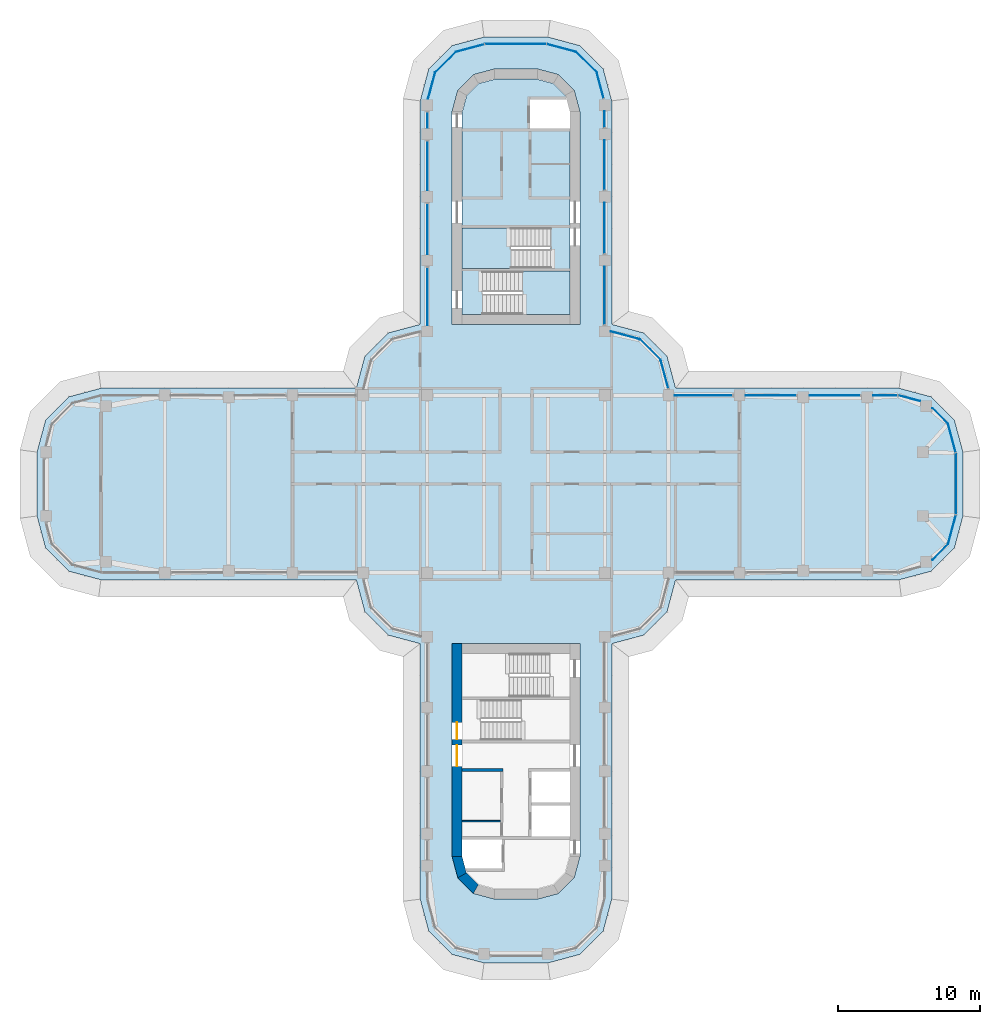
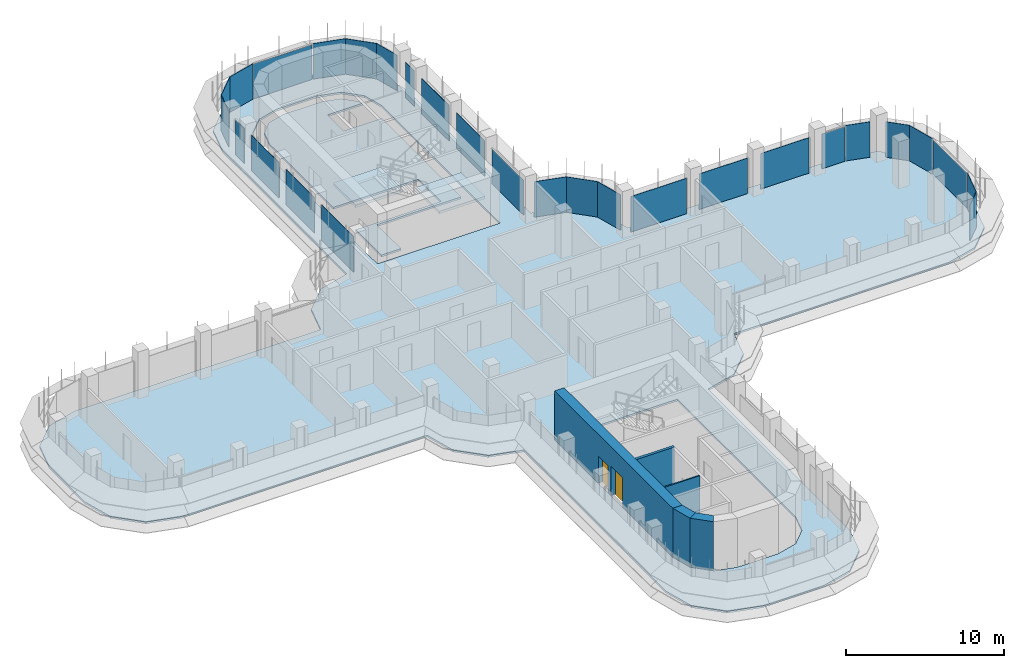
# One storey, part 13 of 20: 28 plates, 5 walls, 4 slabs, 2 doors, 2 openings, 21 elements without a shape of their own.
"""IFC4 building model written with IfcOpenShell, lengths in metres."""

from ifc_helpers import new_model, si_unit, direction, frame, frame_2d, origin, place, context, subcontext, project, spatial, polyline, rectangle, outline, extrude, source, transform, mapped, material, layer, layer_set, type_object, element, fill, aggregate, save


model = new_model("IFC4")

# Units and contexts
model_context = context("Model", 3, precision=1e-05, world=origin(), true_north=direction((0.0, 1.0)))
body_context = subcontext(model_context, "Body", "Model", "MODEL_VIEW")
ifc_project = project(units=[si_unit("LENGTHUNIT", "METRE"), si_unit("AREAUNIT", "SQUARE_METRE"), si_unit("VOLUMEUNIT", "CUBIC_METRE"), si_unit("PLANEANGLEUNIT", "RADIAN"), si_unit("MASSUNIT", "GRAM", prefix="KILO")], contexts=[model_context])

# Site, building, storey
site_placement = place(None, origin())
site = spatial("IfcSite", under=ifc_project, at=site_placement, CompositionType="ELEMENT")
building_placement = place(site_placement, origin())
building = spatial("IfcBuilding", under=site, at=building_placement, Name="Zarbagh Exchange Tower", CompositionType="ELEMENT")
storey_placement = place(building_placement, frame((0.0, 0.0, 152.39990234375)))
storey = spatial("IfcBuildingStorey", under=building, at=storey_placement, Name="L36", CompositionType="ELEMENT", Elevation=152.39990234375)

# Slabs
ifc_material_1 = material(Name="Concrete C40/50", Category="concrete")
ifc_layer_1 = layer(ifc_material_1, 0.14990234375)
ifc_layer_set_1 = layer_set([ifc_layer_1], Name="Composite floor slab 150 C40/50")
slab_type_1 = type_object("IfcSlabType", Name="Composite floor slab 150 C40/50", PredefinedType="FLOOR", material=ifc_layer_set_1)
slab_1_placement = place(storey_placement, frame((0.0, 0.0, -0.14990234375)))
element("IfcSlab", 1, at=slab_1_placement, inside=storey, type_object=slab_type_1, Name="S5 composite floor slab", PredefinedType="FLOOR", context=body_context, shape_type="SweptSolid", body=[
    extrude(outline(polyline([(-2.25, -33.75), (-4.5, -33.147216796875), (-6.147216796875, -31.5), (-6.75, -29.25), (-6.75, -11.25), (-9.0, -10.647216796875), (-10.647216796875, -9.0), (-11.25, -6.75), (-29.25, -6.75), (-31.5, -6.147216796875), (-33.147216796875, -4.5), (-33.75, -2.25), (-33.75, 2.25), (-33.147216796875, 4.5), (-31.5, 6.147216796875), (-29.25, 6.75), (-11.25, 6.75), (-10.647216796875, 9.0), (-9.0, 10.647216796875), (-6.75, 11.25), (-6.75, 27.0), (-6.147216796875, 29.25), (-4.5, 30.897216796875), (-2.25, 31.5), (2.25, 31.5), (4.5, 30.897216796875), (6.147216796875, 29.25), (6.75, 27.0), (6.75, 11.25), (9.0, 10.647216796875), (10.647216796875, 9.0), (11.25, 6.75), (27.0, 6.75), (29.25, 6.147216796875), (30.897216796875, 4.5), (31.5, 2.25), (31.5, -2.25), (30.897216796875, -4.5), (29.25, -6.147216796875), (27.0, -6.75), (11.25, -6.75), (10.647216796875, -9.0), (9.0, -10.647216796875), (6.75, -11.25), (6.75, -29.25), (6.147216796875, -31.5), (4.5, -33.147216796875), (2.25, -33.75), (-2.25, -33.75)]), holes=[polyline([(4.5, 11.25), (4.5, 26.25), (4.09814453125, 27.75), (3.0, 28.84814453125), (1.5, 29.25), (-1.5, 29.25), (-3.0, 28.84814453125), (-4.09814453125, 27.75), (-4.5, 26.25), (-4.5, 11.25), (4.5, 11.25)]), polyline([(-1.5, -29.25), (1.5, -29.25), (3.0, -28.84814453125), (4.09814453125, -27.75), (4.5, -26.25), (4.5, -11.25), (-4.5, -11.25), (-4.5, -26.25), (-4.09814453125, -27.75), (-3.0, -28.84814453125), (-1.5, -29.25)])]), origin(), (0.0, 0.0, 1.0), 0.14990234375),
])
ifc_layer_2 = layer(ifc_material_1, 0.14990234375)
ifc_layer_set_2 = layer_set([ifc_layer_2], Name="Core floor slab 150 C40/50")
slab_type_2 = type_object("IfcSlabType", Name="Core floor slab 150 C40/50", PredefinedType="FLOOR", material=ifc_layer_set_2)
slab_2_placement = place(storey_placement, frame((0.0, 0.0, -0.14990234375)))
element("IfcSlab", 2, at=slab_2_placement, inside=storey, type_object=slab_type_2, Name="S17 core N", PredefinedType="FLOOR", context=body_context, shape_type="SweptSolid", body=[
    extrude(outline(polyline([(-3.800048828125, 11.949951171875), (-3.800048828125, 15.199951171875), (2.449951171875, 15.199951171875), (2.449951171875, 18.050048828125), (-3.800048828125, 18.050048828125), (-3.800048828125, 26.15771484375), (-3.470458984375, 27.3876953125), (-2.6376953125, 28.220458984375), (-1.40771484375, 28.550048828125), (1.40771484375, 28.550048828125), (2.6376953125, 28.220458984375), (3.470458984375, 27.3876953125), (3.800048828125, 26.15771484375), (3.800048828125, 26.15771484375), (3.547607421875, 27.10009765625), (1.0, 27.10009765625), (1.0, 25.050048828125), (3.800048828125, 25.050048828125), (3.800048828125, 15.0), (-2.35009765625, 15.0), (-2.35009765625, 11.949951171875), (-3.800048828125, 11.949951171875)])), origin(), (0.0, 0.0, 1.0), 0.14990234375),
])

# Stair, slab
stair_type = type_object("IfcStairType", Name="Exit stair two-flight half-turn", PredefinedType="HALF_TURN_STAIR", material=ifc_material_1)
stair_1_placement = place(storey_placement, origin())
stair_1 = element("IfcStair", 3, at=stair_1_placement, inside=storey, type_object=stair_type, Name="exit stair ST1", PredefinedType="HALF_TURN_STAIR")
ifc_layer_3 = layer(ifc_material_1, 0.199951171875)
ifc_layer_set_3 = layer_set([ifc_layer_3], Name="Stair landing 200 mm")
slab_type_3 = type_object("IfcSlabType", Name="Stair landing 200 mm", PredefinedType="LANDING", material=ifc_layer_set_3)
slab_3_placement = place(storey_placement, frame((0.0, 0.0, 1.7001953125)))
slab_3 = element("IfcSlab", 4, at=slab_3_placement, type_object=slab_type_3, Name="ST1 landing 1", PredefinedType="LANDING", context=body_context, shape_type="SweptSolid", body=[
    extrude(outline(polyline([(-0.35009765625, 18.050048828125), (-3.800048828125, 18.050048828125), (-3.800048828125, 15.199951171875), (-0.35009765625, 15.199951171875), (-0.35009765625, 18.050048828125)])), origin(), (0.0, 0.0, 1.0), 0.199951171875),
])
aggregate(stair_1, [slab_3])

stair_2_placement = place(storey_placement, origin())
stair_2 = element("IfcStair", 5, at=stair_2_placement, inside=storey, type_object=stair_type, Name="exit stair ST2", PredefinedType="HALF_TURN_STAIR")
slab_4_placement = place(storey_placement, frame((0.0, 0.0, 1.7001953125)))
slab_4 = element("IfcSlab", 6, at=slab_4_placement, type_object=slab_type_3, Name="ST2 landing 1", PredefinedType="LANDING", context=body_context, shape_type="SweptSolid", body=[
    extrude(outline(polyline([(0.449951171875, 11.949951171875), (3.800048828125, 11.949951171875), (3.800048828125, 15.0), (0.449951171875, 15.0), (0.449951171875, 11.949951171875)])), origin(), (0.0, 0.0, 1.0), 0.199951171875),
])
aggregate(stair_2, [slab_4])

# Curtain wall, plate
ifc_material_2 = material(Name="Anodised aluminium frame and glazing", Category="aluminium")
curtain_wall_type = type_object("IfcCurtainWallType", Name="CWB Ribbon glazing, upper zones", PredefinedType="NOTDEFINED", material=ifc_material_2)
curtain_wall_1_placement = place(storey_placement, origin())
curtain_wall_1 = element("IfcCurtainWall", 7, at=curtain_wall_1_placement, inside=storey, type_object=curtain_wall_type, Name="CWB18 curtain wall", PredefinedType="NOTDEFINED")
ifc_material_3 = material(Name="Low-e double glazed unit, 6+12+6 mm")
ifc_layer_4 = layer(ifc_material_3, 0.031982421875)
ifc_layer_set_4 = layer_set([ifc_layer_4], Name="PAB Glazing panel, Low-e double glazed unit, 6+12+6 mm")
plate_type = type_object("IfcPlateType", Name="PAB Glazing panel, Low-e double glazed unit, 6+12+6 mm", PredefinedType="CURTAIN_PANEL", material=ifc_layer_set_4)
shared_shape_1 = source(origin(), body_context, "Body", "SweptSolid", [
    extrude(outline(polyline([(0.0, -0.01611328125), (2.061279296875, -0.01611328125), (2.061279296875, 0.01611328125), (0.0, 0.01611328125), (0.0, -0.01611328125)])), origin(), (0.0, 0.0, 1.0), 2.75),
])
placement = place(storey_placement, origin())
plate_1 = element("IfcPlate", 8, at=placement, type_object=plate_type, Name="CWB18 glazing panel 1.1", PredefinedType="CURTAIN_PANEL", context=body_context, shape_type="MappedRepresentation", body=[
    mapped(shared_shape_1, transform((10.19873046875, 8.7412109375, 0.0), x_axis=(-0.707106781187, 0.707106781187, 0.0), y_axis=(-0.707106781187, -0.707106781187, 0.0), z_axis=(0.0, 0.0, 1.0))),
])
aggregate(curtain_wall_1, [plate_1])

curtain_wall_2_placement = place(storey_placement, origin())
curtain_wall_2 = element("IfcCurtainWall", 9, at=curtain_wall_2_placement, inside=storey, type_object=curtain_wall_type, Name="CWB22 curtain wall", PredefinedType="NOTDEFINED")
plate_2 = element("IfcPlate", 10, at=placement, type_object=plate_type, Name="CWB22 glazing panel 1.1", PredefinedType="CURTAIN_PANEL", context=body_context, shape_type="MappedRepresentation", body=[
    mapped(shared_shape_1, transform((5.69873046875, 28.9912109375, 0.0), x_axis=(-0.707106781187, 0.707106781187, 0.0), y_axis=(-0.707106781187, -0.707106781187, 0.0), z_axis=(0.0, 0.0, 1.0))),
])
aggregate(curtain_wall_2, [plate_2])

curtain_wall_3_placement = place(storey_placement, origin())
curtain_wall_3 = element("IfcCurtainWall", 11, at=curtain_wall_3_placement, inside=storey, type_object=curtain_wall_type, Name="CWB26 curtain wall", PredefinedType="NOTDEFINED")
plate_3 = element("IfcPlate", 12, at=placement, type_object=plate_type, Name="CWB26 glazing panel 1.1", PredefinedType="CURTAIN_PANEL", context=body_context, shape_type="MappedRepresentation", body=[
    mapped(shared_shape_1, transform((-4.2412109375, 30.44873046875, 0.0), x_axis=(-0.707106781187, -0.707106781187, 0.0), y_axis=(0.707106781187, -0.707106781187, 0.0), z_axis=(0.0, 0.0, 1.0))),
])
aggregate(curtain_wall_3, [plate_3])

curtain_wall_4_placement = place(storey_placement, origin())
curtain_wall_4 = element("IfcCurtainWall", 13, at=curtain_wall_4_placement, inside=storey, type_object=curtain_wall_type, Name="CWB11 curtain wall", PredefinedType="NOTDEFINED")
shared_shape_2 = source(origin(), body_context, "Body", "SweptSolid", [
    extrude(outline(polyline([(0.0, -0.01611328125), (2.129638671875, -0.01611328125), (2.129638671875, 0.01611328125), (0.0, 0.01611328125), (0.0, -0.01611328125)])), origin(), (0.0, 0.0, 1.0), 2.75),
])
plate_4 = element("IfcPlate", 14, at=placement, type_object=plate_type, Name="CWB11 glazing panel 1.1", PredefinedType="CURTAIN_PANEL", context=body_context, shape_type="MappedRepresentation", body=[
    mapped(shared_shape_2, transform((30.44873046875, -4.2412109375, 0.0), x_axis=(0.258824779902, 0.965924289636, 0.0), y_axis=(-0.965924289636, 0.258824779902, 0.0), z_axis=(0.0, 0.0, 1.0))),
])
aggregate(curtain_wall_4, [plate_4])

curtain_wall_5_placement = place(storey_placement, origin())
curtain_wall_5 = element("IfcCurtainWall", 15, at=curtain_wall_5_placement, inside=storey, type_object=curtain_wall_type, Name="CWB23 curtain wall", PredefinedType="NOTDEFINED")
plate_5 = element("IfcPlate", 16, at=placement, type_object=plate_type, Name="CWB23 glazing panel 1.1", PredefinedType="CURTAIN_PANEL", context=body_context, shape_type="MappedRepresentation", body=[
    mapped(shared_shape_2, transform((4.2412109375, 30.44873046875, 0.0), x_axis=(-0.965924289636, 0.258824779902, 0.0), y_axis=(-0.258824779902, -0.965924289636, 0.0), z_axis=(0.0, 0.0, 1.0))),
])
aggregate(curtain_wall_5, [plate_5])

curtain_wall_6_placement = place(storey_placement, origin())
curtain_wall_6 = element("IfcCurtainWall", 17, at=curtain_wall_6_placement, inside=storey, type_object=curtain_wall_type, Name="CWB20 curtain wall", PredefinedType="NOTDEFINED")
shared_shape_3 = source(origin(), body_context, "Body", "SweptSolid", [
    extrude(outline(polyline([(0.0, -0.01611328125), (3.4599609375, -0.01611328125), (3.4599609375, 0.01611328125), (0.0, 0.01611328125), (0.0, -0.01611328125)])), origin(), (0.0, 0.0, 1.0), 2.75),
])
plate_6 = element("IfcPlate", 18, at=placement, type_object=plate_type, Name="CWB20 glazing panel 3.1", PredefinedType="CURTAIN_PANEL", context=body_context, shape_type="MappedRepresentation", body=[
    mapped(shared_shape_3, transform((6.25, 20.75, 0.0), x_axis=(0.0, 1.0, 0.0), y_axis=(-1.0, 0.0, 0.0), z_axis=(0.0, 0.0, 1.0))),
])

curtain_wall_7_placement = place(storey_placement, origin())
curtain_wall_7 = element("IfcCurtainWall", 19, at=curtain_wall_7_placement, inside=storey, type_object=curtain_wall_type, Name="CWB28 curtain wall", PredefinedType="NOTDEFINED")
plate_7 = element("IfcPlate", 20, at=placement, type_object=plate_type, Name="CWB28 glazing panel 2.1", PredefinedType="CURTAIN_PANEL", context=body_context, shape_type="MappedRepresentation", body=[
    mapped(shared_shape_3, transform((-6.25, 24.14990234375, 0.0), x_axis=(0.0, -1.0, 0.0), y_axis=(1.0, 0.0, 0.0), z_axis=(0.0, 0.0, 1.0))),
])

# Curtain wall, plates
curtain_wall_8_placement = place(storey_placement, origin())
curtain_wall_8 = element("IfcCurtainWall", 21, at=curtain_wall_8_placement, inside=storey, type_object=curtain_wall_type, Name="CWB16 curtain wall", PredefinedType="NOTDEFINED")
shared_shape_4 = source(origin(), body_context, "Body", "SweptSolid", [
    extrude(outline(polyline([(0.0, -0.01611328125), (3.56005859375, -0.01611328125), (3.56005859375, 0.01611328125), (0.0, 0.01611328125), (0.0, -0.01611328125)])), origin(), (0.0, 0.0, 1.0), 2.75),
])
plate_8 = element("IfcPlate", 22, at=placement, type_object=plate_type, Name="CWB16 glazing panel 2.1", PredefinedType="CURTAIN_PANEL", context=body_context, shape_type="MappedRepresentation", body=[
    mapped(shared_shape_4, transform((24.25, 6.25, 0.0), x_axis=(-1.0, 0.0, 0.0), y_axis=(0.0, -1.0, 0.0), z_axis=(0.0, 0.0, 1.0))),
])
plate_9 = element("IfcPlate", 23, at=placement, type_object=plate_type, Name="CWB16 glazing panel 3.1", PredefinedType="CURTAIN_PANEL", context=body_context, shape_type="MappedRepresentation", body=[
    mapped(shared_shape_4, transform((19.75, 6.25, 0.0), x_axis=(-1.0, 0.0, 0.0), y_axis=(0.0, -1.0, 0.0), z_axis=(0.0, 0.0, 1.0))),
])

# Plate
plate_10 = element("IfcPlate", 24, at=placement, type_object=plate_type, Name="CWB20 glazing panel 2.1", PredefinedType="CURTAIN_PANEL", context=body_context, shape_type="MappedRepresentation", body=[
    mapped(shared_shape_4, transform((6.25, 16.25, 0.0), x_axis=(0.0, 1.0, 0.0), y_axis=(-1.0, 0.0, 0.0), z_axis=(0.0, 0.0, 1.0))),
])

plate_11 = element("IfcPlate", 25, at=placement, type_object=plate_type, Name="CWB28 glazing panel 3.1", PredefinedType="CURTAIN_PANEL", context=body_context, shape_type="MappedRepresentation", body=[
    mapped(shared_shape_4, transform((-6.25, 19.75, 0.0), x_axis=(0.0, -1.0, 0.0), y_axis=(1.0, 0.0, 0.0), z_axis=(0.0, 0.0, 1.0))),
])

shared_shape_5 = source(origin(), body_context, "Body", "SweptSolid", [
    extrude(outline(polyline([(0.0, -0.01611328125), (4.06005859375, -0.01611328125), (4.06005859375, 0.01611328125), (0.0, 0.01611328125), (0.0, -0.01611328125)])), origin(), (0.0, 0.0, 1.0), 2.75),
])
plate_12 = element("IfcPlate", 26, at=placement, type_object=plate_type, Name="CWB16 glazing panel 4.1", PredefinedType="CURTAIN_PANEL", context=body_context, shape_type="MappedRepresentation", body=[
    mapped(shared_shape_5, transform((15.25, 6.25, 0.0), x_axis=(-1.0, 0.0, 0.0), y_axis=(0.0, -1.0, 0.0), z_axis=(0.0, 0.0, 1.0))),
])

plate_13 = element("IfcPlate", 27, at=placement, type_object=plate_type, Name="CWB28 glazing panel 4.1", PredefinedType="CURTAIN_PANEL", context=body_context, shape_type="MappedRepresentation", body=[
    mapped(shared_shape_5, transform((-6.25, 15.25, 0.0), x_axis=(0.0, -1.0, 0.0), y_axis=(1.0, 0.0, 0.0), z_axis=(0.0, 0.0, 1.0))),
])

# Curtain wall, plate
curtain_wall_9_placement = place(storey_placement, origin())
curtain_wall_9 = element("IfcCurtainWall", 28, at=curtain_wall_9_placement, inside=storey, type_object=curtain_wall_type, Name="CWB17 curtain wall", PredefinedType="NOTDEFINED")
shared_shape_6 = source(origin(), body_context, "Body", "SweptSolid", [
    extrude(outline(polyline([(0.0, -0.01611328125), (2.063720703125, -0.01611328125), (2.063720703125, 0.01611328125), (0.0, 0.01611328125), (0.0, -0.01611328125)])), origin(), (0.0, 0.0, 1.0), 2.75),
])
plate_14 = element("IfcPlate", 29, at=placement, type_object=plate_type, Name="CWB17 glazing panel 1.1", PredefinedType="CURTAIN_PANEL", context=body_context, shape_type="MappedRepresentation", body=[
    mapped(shared_shape_6, transform((10.73291015625, 6.748046875, 0.0), x_axis=(-0.258824779902, 0.965924289636, 0.0), y_axis=(-0.965924289636, -0.258824779902, 0.0), z_axis=(0.0, 0.0, 1.0))),
])
aggregate(curtain_wall_9, [plate_14])

curtain_wall_10_placement = place(storey_placement, origin())
curtain_wall_10 = element("IfcCurtainWall", 30, at=curtain_wall_10_placement, inside=storey, type_object=curtain_wall_type, Name="CWB19 curtain wall", PredefinedType="NOTDEFINED")
shared_shape_7 = source(origin(), body_context, "Body", "SweptSolid", [
    extrude(outline(polyline([(0.0, -0.01611328125), (2.12353515625, -0.01611328125), (2.12353515625, 0.01611328125), (0.0, 0.01611328125), (0.0, -0.01611328125)])), origin(), (0.0, 0.0, 1.0), 2.75),
])
plate_15 = element("IfcPlate", 31, at=placement, type_object=plate_type, Name="CWB19 glazing panel 1.1", PredefinedType="CURTAIN_PANEL", context=body_context, shape_type="MappedRepresentation", body=[
    mapped(shared_shape_7, transform((8.7412109375, 10.19873046875, 0.0), x_axis=(-0.965924289636, 0.258824779902, 0.0), y_axis=(-0.258824779902, -0.965924289636, 0.0), z_axis=(0.0, 0.0, 1.0))),
])
aggregate(curtain_wall_10, [plate_15])

# Plate
shared_shape_8 = source(origin(), body_context, "Body", "SweptSolid", [
    extrude(outline(polyline([(0.0, -0.01611328125), (4.06005859375, -0.01611328125), (4.06005859375, 0.01611328125), (0.0, 0.01611328125), (0.0, -0.01611328125)])), origin(), (0.0, 0.0, 1.0), 2.68994140625),
])
plate_16 = element("IfcPlate", 32, at=placement, type_object=plate_type, Name="CWB20 glazing panel 1.1", PredefinedType="CURTAIN_PANEL", context=body_context, shape_type="MappedRepresentation", body=[
    mapped(shared_shape_8, transform((6.25, 11.25, 0.0), x_axis=(0.0, 1.0, 0.0), y_axis=(-1.0, 0.0, 0.0), z_axis=(0.0, 0.0, 1.0))),
])

# Curtain wall, plate
curtain_wall_11_placement = place(storey_placement, origin())
curtain_wall_11 = element("IfcCurtainWall", 33, at=curtain_wall_11_placement, inside=storey, type_object=curtain_wall_type, Name="CWB10 curtain wall", PredefinedType="NOTDEFINED")
shared_shape_9 = source(origin(), body_context, "Body", "SweptSolid", [
    extrude(outline(polyline([(0.0, -0.01611328125), (1.556884765625, -0.01611328125), (1.556884765625, 0.01611328125), (0.0, 0.01611328125), (0.0, -0.01611328125)])), origin(), (0.0, 0.0, 1.0), 2.75),
])
plate_17 = element("IfcPlate", 34, at=placement, type_object=plate_type, Name="CWB10 glazing panel 1.1", PredefinedType="CURTAIN_PANEL", context=body_context, shape_type="MappedRepresentation", body=[
    mapped(shared_shape_9, transform((29.347900390625, -5.342041015625, 0.0), x_axis=(0.707106781187, 0.707106781187, 0.0), y_axis=(-0.707106781187, 0.707106781187, 0.0), z_axis=(0.0, 0.0, 1.0))),
])
aggregate(curtain_wall_11, [plate_17])

curtain_wall_12_placement = place(storey_placement, origin())
curtain_wall_12 = element("IfcCurtainWall", 35, at=curtain_wall_12_placement, inside=storey, type_object=curtain_wall_type, Name="CWB14 curtain wall", PredefinedType="NOTDEFINED")
plate_18 = element("IfcPlate", 36, at=placement, type_object=plate_type, Name="CWB14 glazing panel 1.1", PredefinedType="CURTAIN_PANEL", context=body_context, shape_type="MappedRepresentation", body=[
    mapped(shared_shape_9, transform((30.44873046875, 4.2412109375, 0.0), x_axis=(-0.707106781187, 0.707106781187, 0.0), y_axis=(-0.707106781187, -0.707106781187, 0.0), z_axis=(0.0, 0.0, 1.0))),
])
aggregate(curtain_wall_12, [plate_18])

curtain_wall_13_placement = place(storey_placement, origin())
curtain_wall_13 = element("IfcCurtainWall", 37, at=curtain_wall_13_placement, inside=storey, type_object=curtain_wall_type, Name="CWB12 curtain wall", PredefinedType="NOTDEFINED")
shared_shape_10 = source(origin(), body_context, "Body", "SweptSolid", [
    extrude(outline(polyline([(0.0, -0.01611328125), (4.308349609375, -0.01611328125), (4.308349609375, 0.01611328125), (0.0, 0.01611328125), (0.0, -0.01611328125)])), origin(), (0.0, 0.0, 1.0), 2.68994140625),
])
plate_19 = element("IfcPlate", 38, at=placement, type_object=plate_type, Name="CWB12 glazing panel 1.1", PredefinedType="CURTAIN_PANEL", context=body_context, shape_type="MappedRepresentation", body=[
    mapped(shared_shape_10, transform((31.0, -2.124267578125, 0.0), x_axis=(0.0, 1.0, 0.0), y_axis=(-1.0, 0.0, 0.0), z_axis=(0.0, 0.0, 1.0))),
])
aggregate(curtain_wall_13, [plate_19])

curtain_wall_14_placement = place(storey_placement, origin())
curtain_wall_14 = element("IfcCurtainWall", 39, at=curtain_wall_14_placement, inside=storey, type_object=curtain_wall_type, Name="CWB24 curtain wall", PredefinedType="NOTDEFINED")
plate_20 = element("IfcPlate", 40, at=placement, type_object=plate_type, Name="CWB24 glazing panel 1.1", PredefinedType="CURTAIN_PANEL", context=body_context, shape_type="MappedRepresentation", body=[
    mapped(shared_shape_10, transform((2.124267578125, 31.0, 0.0), x_axis=(-1.0, 0.0, 0.0), y_axis=(0.0, -1.0, 0.0), z_axis=(0.0, 0.0, 1.0))),
])
aggregate(curtain_wall_14, [plate_20])

curtain_wall_15_placement = place(storey_placement, origin())
curtain_wall_15 = element("IfcCurtainWall", 41, at=curtain_wall_15_placement, inside=storey, type_object=curtain_wall_type, Name="CWB13 curtain wall", PredefinedType="NOTDEFINED")
shared_shape_11 = source(origin(), body_context, "Body", "SweptSolid", [
    extrude(outline(polyline([(0.0, -0.01611328125), (2.069580078125, -0.01611328125), (2.069580078125, 0.01611328125), (0.0, 0.01611328125), (0.0, -0.01611328125)])), origin(), (0.0, 0.0, 1.0), 2.75),
])
plate_21 = element("IfcPlate", 42, at=placement, type_object=plate_type, Name="CWB13 glazing panel 1.1", PredefinedType="CURTAIN_PANEL", context=body_context, shape_type="MappedRepresentation", body=[
    mapped(shared_shape_11, transform((30.984375, 2.2421875, 0.0), x_axis=(-0.258824779902, 0.965924289636, 0.0), y_axis=(-0.965924289636, -0.258824779902, 0.0), z_axis=(0.0, 0.0, 1.0))),
])
aggregate(curtain_wall_15, [plate_21])

curtain_wall_16_placement = place(storey_placement, origin())
curtain_wall_16 = element("IfcCurtainWall", 43, at=curtain_wall_16_placement, inside=storey, type_object=curtain_wall_type, Name="CWB25 curtain wall", PredefinedType="NOTDEFINED")
plate_22 = element("IfcPlate", 44, at=placement, type_object=plate_type, Name="CWB25 glazing panel 1.1", PredefinedType="CURTAIN_PANEL", context=body_context, shape_type="MappedRepresentation", body=[
    mapped(shared_shape_11, transform((-2.2421875, 30.984375, 0.0), x_axis=(-0.965924289636, -0.258824779902, 0.0), y_axis=(0.258824779902, -0.965924289636, 0.0), z_axis=(0.0, 0.0, 1.0))),
])
aggregate(curtain_wall_16, [plate_22])

curtain_wall_17_placement = place(storey_placement, origin())
curtain_wall_17 = element("IfcCurtainWall", 45, at=curtain_wall_17_placement, inside=storey, type_object=curtain_wall_type, Name="CWB15 curtain wall", PredefinedType="NOTDEFINED")
shared_shape_12 = source(origin(), body_context, "Body", "SweptSolid", [
    extrude(outline(polyline([(0.0, -0.01611328125), (1.587890625, -0.01611328125), (1.587890625, 0.01611328125), (0.0, 0.01611328125), (0.0, -0.01611328125)])), origin(), (0.0, 0.0, 1.0), 2.75),
])
plate_23 = element("IfcPlate", 46, at=placement, type_object=plate_type, Name="CWB15 glazing panel 1.1", PredefinedType="CURTAIN_PANEL", context=body_context, shape_type="MappedRepresentation", body=[
    mapped(shared_shape_12, transform((28.468017578125, 5.839111328125, 0.0), x_axis=(-0.965924289636, 0.258824779902, 0.0), y_axis=(-0.258824779902, -0.965924289636, 0.0), z_axis=(0.0, 0.0, 1.0))),
])
aggregate(curtain_wall_17, [plate_23])

# Plate
shared_shape_13 = source(origin(), body_context, "Body", "SweptSolid", [
    extrude(outline(polyline([(0.0, -0.01611328125), (1.68408203125, -0.01611328125), (1.68408203125, 0.01611328125), (0.0, 0.01611328125), (0.0, -0.01611328125)])), origin(), (0.0, 0.0, 1.0), 2.68994140625),
])
plate_24 = element("IfcPlate", 47, at=placement, type_object=plate_type, Name="CWB16 glazing panel 1.1", PredefinedType="CURTAIN_PANEL", context=body_context, shape_type="MappedRepresentation", body=[
    mapped(shared_shape_13, transform((26.874267578125, 6.25, 0.0), x_axis=(-1.0, 0.0, 0.0), y_axis=(0.0, -1.0, 0.0), z_axis=(0.0, 0.0, 1.0))),
])

aggregate(curtain_wall_8, [plate_24, plate_8, plate_9, plate_12])

shared_shape_14 = source(origin(), body_context, "Body", "SweptSolid", [
    extrude(outline(polyline([(0.0, -0.01611328125), (1.110107421875, -0.01611328125), (1.110107421875, 0.01611328125), (0.0, 0.01611328125), (0.0, -0.01611328125)])), origin(), (0.0, 0.0, 1.0), 2.75),
])
plate_25 = element("IfcPlate", 48, at=placement, type_object=plate_type, Name="CWB20 glazing panel 4.1", PredefinedType="CURTAIN_PANEL", context=body_context, shape_type="MappedRepresentation", body=[
    mapped(shared_shape_14, transform((6.25, 25.150146484375, 0.0), x_axis=(0.0, 1.0, 0.0), y_axis=(-1.0, 0.0, 0.0), z_axis=(0.0, 0.0, 1.0))),
])

aggregate(curtain_wall_6, [plate_16, plate_10, plate_6, plate_25])

# Curtain wall, plate
curtain_wall_18_placement = place(storey_placement, origin())
curtain_wall_18 = element("IfcCurtainWall", 49, at=curtain_wall_18_placement, inside=storey, type_object=curtain_wall_type, Name="CWB21 curtain wall", PredefinedType="NOTDEFINED")
shared_shape_15 = source(origin(), body_context, "Body", "SweptSolid", [
    extrude(outline(polyline([(0.0, -0.01611328125), (1.8564453125, -0.01611328125), (1.8564453125, 0.01611328125), (0.0, 0.01611328125), (0.0, -0.01611328125)])), origin(), (0.0, 0.0, 1.0), 2.75),
])
plate_26 = element("IfcPlate", 50, at=placement, type_object=plate_type, Name="CWB21 glazing panel 1.1", PredefinedType="CURTAIN_PANEL", context=body_context, shape_type="MappedRepresentation", body=[
    mapped(shared_shape_15, transform((6.17919921875, 27.197998046875, 0.0), x_axis=(-0.258824779902, 0.965924289636, 0.0), y_axis=(-0.965924289636, -0.258824779902, 0.0), z_axis=(0.0, 0.0, 1.0))),
])
aggregate(curtain_wall_18, [plate_26])

curtain_wall_19_placement = place(storey_placement, origin())
curtain_wall_19 = element("IfcCurtainWall", 51, at=curtain_wall_19_placement, inside=storey, type_object=curtain_wall_type, Name="CWB27 curtain wall", PredefinedType="NOTDEFINED")
shared_shape_16 = source(origin(), body_context, "Body", "SweptSolid", [
    extrude(outline(polyline([(0.0, -0.01611328125), (1.91650390625, -0.01611328125), (1.91650390625, 0.01611328125), (0.0, 0.01611328125), (0.0, -0.01611328125)])), origin(), (0.0, 0.0, 1.0), 2.75),
])
plate_27 = element("IfcPlate", 52, at=placement, type_object=plate_type, Name="CWB27 glazing panel 1.1", PredefinedType="CURTAIN_PANEL", context=body_context, shape_type="MappedRepresentation", body=[
    mapped(shared_shape_16, transform((-5.69873046875, 28.9912109375, 0.0), x_axis=(-0.258824779902, -0.965924289636, 0.0), y_axis=(0.965924289636, -0.258824779902, 0.0), z_axis=(0.0, 0.0, 1.0))),
])
aggregate(curtain_wall_19, [plate_27])

# Plate
shared_shape_17 = source(origin(), body_context, "Body", "SweptSolid", [
    extrude(outline(polyline([(0.0, -0.01611328125), (1.110107421875, -0.01611328125), (1.110107421875, 0.01611328125), (0.0, 0.01611328125), (0.0, -0.01611328125)])), origin(), (0.0, 0.0, 1.0), 2.68994140625),
])
plate_28 = element("IfcPlate", 53, at=placement, type_object=plate_type, Name="CWB28 glazing panel 1.1", PredefinedType="CURTAIN_PANEL", context=body_context, shape_type="MappedRepresentation", body=[
    mapped(shared_shape_17, transform((-6.25, 26.199951171875, 0.0), x_axis=(0.0, -1.0, 0.0), y_axis=(1.0, 0.0, 0.0), z_axis=(0.0, 0.0, 1.0))),
])

aggregate(curtain_wall_7, [plate_28, plate_7, plate_11, plate_13])

# Walls
ifc_material_4 = material(Name="Dense blockwork", Category="masonry")
ifc_layer_5 = layer(ifc_material_4, 0.10009765625)
ifc_layer_set_5 = layer_set([ifc_layer_5], Name="Core partition 100 mm blockwork")
wall_type_1 = type_object("IfcWallType", Name="Core partition 100 mm blockwork", PredefinedType="PARTITIONING", material=ifc_layer_set_5)
wall_1_placement = place(storey_placement, frame((-1.10009765625, -23.75, 0.0), z_axis=(0.0, 0.0, 1.0), x_axis=(-1.0, 0.0, 0.0)))
element("IfcWall", 54, at=wall_1_placement, inside=storey, type_object=wall_type_1, Name="South core partition wall CUT-E-460", PredefinedType="PARTITIONING", context=body_context, shape_type="SweptSolid", body=[
    extrude(rectangle(XDim=2.699951171875, YDim=0.10009765625, at=frame_2d((1.35009765625, 0.0))), origin(), (0.0, 0.0, 1.0), 3.650146484375),
])
ifc_material_5 = material(Name="Concrete C50/60", Category="concrete")
ifc_layer_6 = layer(ifc_material_5, 0.699951171875)
ifc_layer_set_6 = layer_set([ifc_layer_6], Name="RC core corner wall 700 C50/60")
wall_type_2 = type_object("IfcWallType", Name="RC core corner wall 700 C50/60", PredefinedType="SHEAR", material=ifc_layer_set_6)
wall_2_placement = place(storey_placement, origin())
element("IfcWall", 55, at=wall_2_placement, inside=storey, type_object=wall_type_2, Name="CW6 core S corner W", PredefinedType="SHEAR", context=body_context, shape_type="SweptSolid", body=[
    extrude(outline(polyline([(-4.5, -26.25), (-4.09814453125, -27.75), (-3.491943359375, -27.39990234375), (-3.800048828125, -26.25), (-4.5, -26.25)])), origin(), (0.0, 0.0, 1.0), 3.800048828125),
])
wall_3_placement = place(storey_placement, origin())
element("IfcWall", 56, at=wall_3_placement, inside=storey, type_object=wall_type_2, Name="CW6 core S corner W", PredefinedType="SHEAR", context=body_context, shape_type="SweptSolid", body=[
    extrude(outline(polyline([(-4.09814453125, -27.75), (-3.0, -28.84814453125), (-2.64990234375, -28.241943359375), (-3.491943359375, -27.39990234375), (-4.09814453125, -27.75)])), origin(), (0.0, 0.0, 1.0), 3.800048828125),
])

# Wall, openings, doors
ifc_layer_7 = layer(ifc_material_5, 0.699951171875)
ifc_layer_set_7 = layer_set([ifc_layer_7], Name="RC core wall 700 C50/60")
wall_type_3 = type_object("IfcWallType", Name="RC core wall 700 C50/60", PredefinedType="SHEAR", material=ifc_layer_set_7)
wall_4_placement = place(storey_placement, frame((-4.14990234375, -11.25, 0.0), z_axis=(0.0, 0.0, 1.0), x_axis=(0.0, -1.0, 0.0)))
wall_4 = element("IfcWall", 57, at=wall_4_placement, inside=storey, type_object=wall_type_3, Name="CW5 core S W", PredefinedType="SHEAR", context=body_context, shape_type="SweptSolid", body=[
    extrude(rectangle(XDim=15.0, YDim=0.699951171875, at=frame_2d((7.5, 0.0))), origin(), (0.0, 0.0, 1.0), 3.800048828125),
])
opening_1_placement = place(wall_4_placement, frame((7.14990234375, 0.0, 0.0)))
opening_1 = element("IfcOpeningElement", 58, at=opening_1_placement, cuts=wall_4, Name="Opening CD1-1500", PredefinedType="OPENING", context=body_context, shape_type="SweptSolid", body=[
    extrude(rectangle(XDim=1.5, YDim=2.300048828125, at=frame_2d((0.75, 1.14990234375))), frame((0.0, 0.35986328125, 0.0), z_axis=(0.0, -1.0, 0.0), x_axis=(1.0, 0.0, 0.0)), (0.0, 0.0, 1.0), 0.719970703125),
])
opening_2_placement = place(wall_4_placement, frame((5.550048828125, 0.0, 0.0)))
opening_2 = element("IfcOpeningElement", 59, at=opening_2_placement, cuts=wall_4, Name="Opening SD1-1200", PredefinedType="OPENING", context=body_context, shape_type="SweptSolid", body=[
    extrude(rectangle(XDim=1.199951171875, YDim=2.10009765625, at=frame_2d((0.60009765625, 1.050048828125))), frame((0.0, 0.35986328125, 0.0), z_axis=(0.0, -1.0, 0.0), x_axis=(1.0, 0.0, 0.0)), (0.0, 0.0, 1.0), 0.719970703125),
])
ifc_material_6 = material(Name="Steel", Category="steel")
door_type_1 = type_object("IfcDoorType", Name="Exit stair door 1200 x 2100", OperationType="NOTDEFINED", PredefinedType="DOOR", material=ifc_material_6)
door_1_placement = place(opening_2_placement, origin())
door_1 = element("IfcDoor", 60, at=door_1_placement, inside=storey, type_object=door_type_1, Name="South core stair door ST1", OperationType="SINGLE_SWING_RIGHT", OverallHeight=2.10009765625, OverallWidth=1.199951171875, PredefinedType="DOOR", context=body_context, shape_type="SweptSolid", body=[
    extrude(rectangle(XDim=1.199951171875, YDim=2.10009765625, at=frame_2d((0.60009765625, 1.050048828125))), frame((0.0, 0.02490234375, 0.0), z_axis=(0.0, -1.0, 0.0), x_axis=(1.0, 0.0, 0.0)), (0.0, 0.0, 1.0), 0.050048828125),
])
fill(opening_2, door_1)
door_type_2 = type_object("IfcDoorType", Name="Lift lobby double door 1500 x 2300", OperationType="NOTDEFINED", PredefinedType="DOOR", material=ifc_material_6)
door_2_placement = place(opening_1_placement, origin())
door_2 = element("IfcDoor", 61, at=door_2_placement, inside=storey, type_object=door_type_2, Name="South core lift lobby door LOBBY-E", OperationType="DOUBLE_DOOR_SINGLE_SWING", OverallHeight=2.300048828125, OverallWidth=1.5, PredefinedType="DOOR", context=body_context, shape_type="SweptSolid", body=[
    extrude(rectangle(XDim=1.5, YDim=2.300048828125, at=frame_2d((0.75, 1.14990234375))), frame((0.0, 0.02490234375, 0.0), z_axis=(0.0, -1.0, 0.0), x_axis=(1.0, 0.0, 0.0)), (0.0, 0.0, 1.0), 0.050048828125),
])
fill(opening_1, door_2)

# Wall
ifc_layer_8 = layer(ifc_material_4, 0.199951171875)
ifc_layer_set_8 = layer_set([ifc_layer_8], Name="Shaft wall 200 mm blockwork")
wall_type_4 = type_object("IfcWallType", Name="Shaft wall 200 mm blockwork", PredefinedType="PARTITIONING", material=ifc_layer_set_8)
wall_5_placement = place(storey_placement, frame((-0.89990234375, -20.14990234375, 0.0), z_axis=(0.0, 0.0, 1.0), x_axis=(-1.0, 0.0, 0.0)))
element("IfcWall", 62, at=wall_5_placement, inside=storey, type_object=wall_type_4, Name="South core shaft wall AB-E", PredefinedType="PARTITIONING", context=body_context, shape_type="SweptSolid", body=[
    extrude(rectangle(XDim=2.900146484375, YDim=0.199951171875, at=frame_2d((1.4501953125, 0.0))), origin(), (0.0, 0.0, 1.0), 3.650146484375),
])

save(model, "model.ifc")
